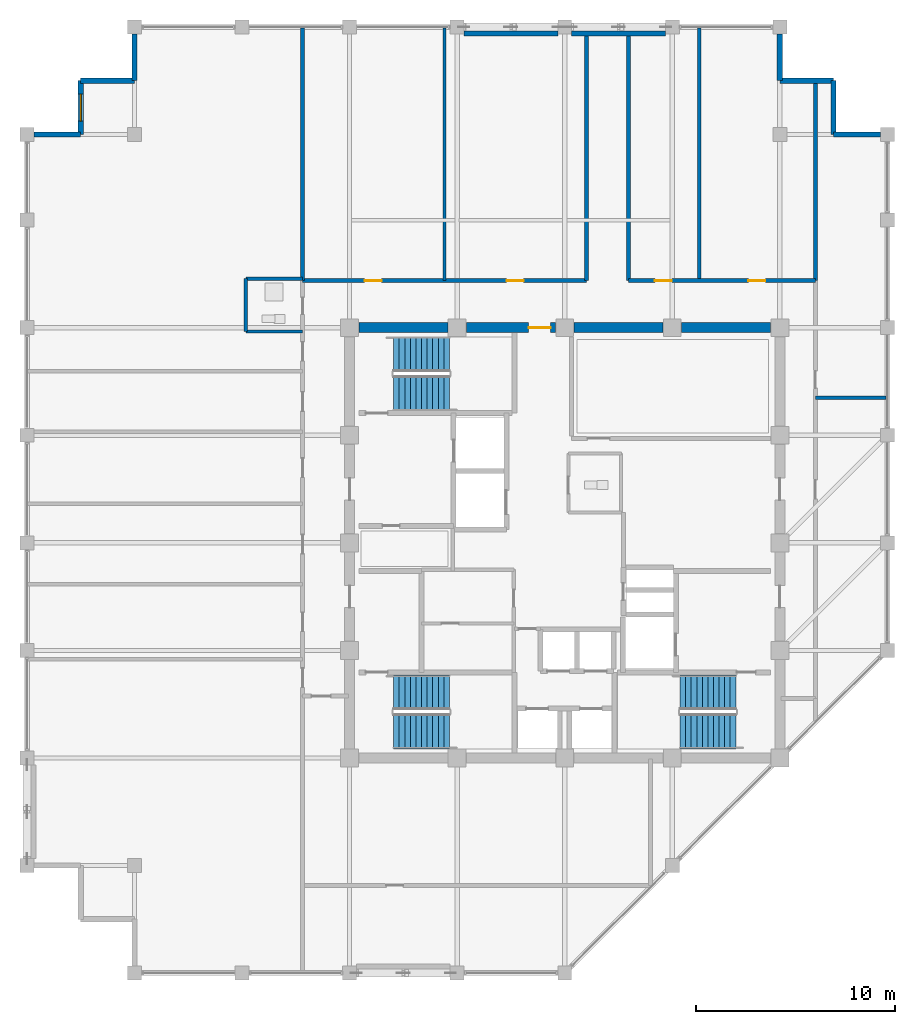
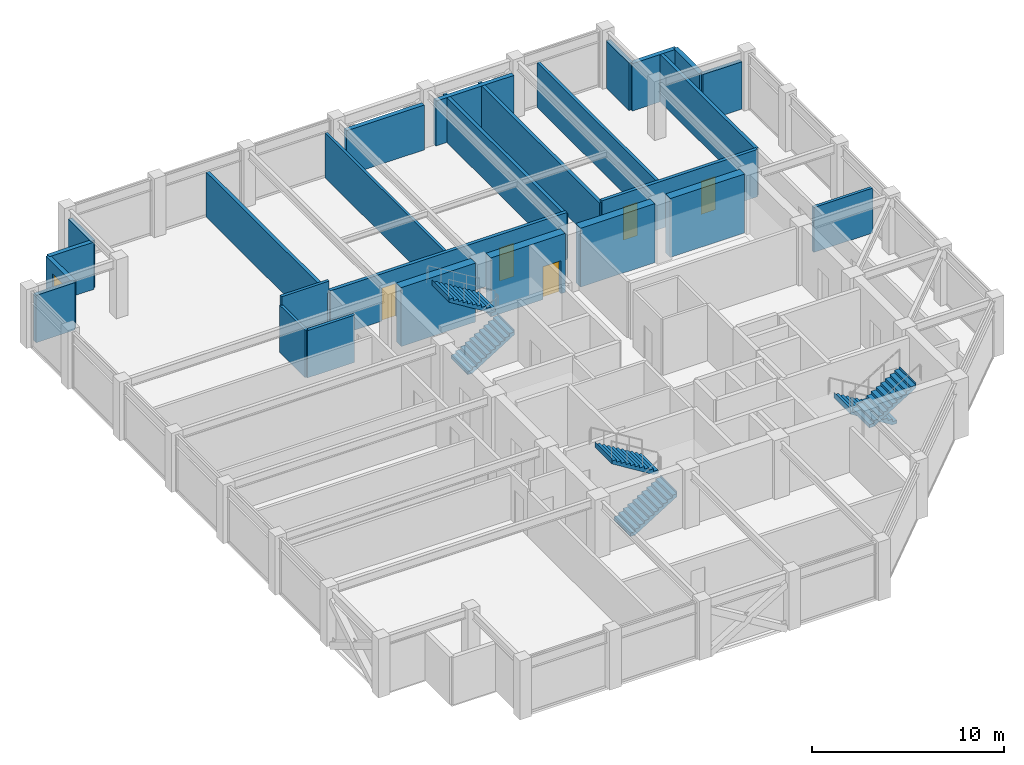
# One storey, part 28 of 30: 26 walls, 6 stair flights, 5 doors, 1 window, 6 openings, 3 elements without a shape of their own.
"""IFC4 building model written with IfcOpenShell, lengths in metres."""

from ifc_helpers import new_model, si_unit, direction, frame, frame_2d, origin, place, context, subcontext, project, spatial, polyline, rectangle, outline, extrude, material, layer, layer_set, type_object, element, fill, aggregate, save


model = new_model("IFC4")

# Units and contexts
model_context = context("Model", 3, precision=1e-05, world=origin(), true_north=direction((0.0, 1.0)))
body_context = subcontext(model_context, "Body", "Model", "MODEL_VIEW")
ifc_project = project(units=[si_unit("LENGTHUNIT", "METRE"), si_unit("AREAUNIT", "SQUARE_METRE"), si_unit("VOLUMEUNIT", "CUBIC_METRE"), si_unit("PLANEANGLEUNIT", "RADIAN"), si_unit("MASSUNIT", "GRAM", prefix="KILO")], contexts=[model_context])

# Site, building, storey
site_placement = place(None, origin())
site = spatial("IfcSite", under=ifc_project, at=site_placement, CompositionType="ELEMENT")
building_placement = place(site_placement, origin())
building = spatial("IfcBuilding", under=site, at=building_placement, Name="Surkhivell Harbour Commons", CompositionType="ELEMENT")
storey_placement = place(building_placement, frame((0.0, 0.0, 296.25)))
storey = spatial("IfcBuildingStorey", under=building, at=storey_placement, Name="L77", CompositionType="ELEMENT", Elevation=296.25)

# Wall
ifc_material_1 = material(Name="Concrete C50/60", Category="concrete")
ifc_layer_1 = layer(ifc_material_1, 0.5)
ifc_layer_set_1 = layer_set([ifc_layer_1], Name="Concrete C50/60")
wall_type_1 = type_object("IfcWallType", Name="WAL-CORE-500", PredefinedType="SHEAR", material=ifc_layer_set_1)
wall_1_placement = place(storey_placement, frame((-10.340087890625, 10.800048828125, 0.0), z_axis=(0.0, 0.0, 1.0), x_axis=(1.0, 0.0, 0.0)))
element("IfcWall", 1, at=wall_1_placement, inside=storey, type_object=wall_type_1, Name="L77 Core Shear Wall North 1", PredefinedType="SHEAR", context=body_context, shape_type="SweptSolid", body=[
    extrude(rectangle(XDim=4.47998046875, YDim=0.5, at=frame_2d((2.239990234375, 0.0))), origin(), (0.0, 0.0, 1.0), 3.75),
])

# Wall, opening, door
wall_2_placement = place(storey_placement, frame((-4.93994140625, 10.800048828125, 0.0), z_axis=(0.0, 0.0, 1.0), x_axis=(1.0, 0.0, 0.0)))
wall_2 = element("IfcWall", 2, at=wall_2_placement, inside=storey, type_object=wall_type_1, Name="L77 Core Shear Wall North 2", PredefinedType="SHEAR", context=body_context, shape_type="SweptSolid", body=[
    extrude(rectangle(XDim=4.47998046875, YDim=0.5, at=frame_2d((2.239990234375, 0.0))), origin(), (0.0, 0.0, 1.0), 3.75),
])
opening_1_placement = place(wall_2_placement, frame((3.1298828125, 0.0, 0.0)))
opening_1 = element("IfcOpeningElement", 3, at=opening_1_placement, cuts=wall_2, Name="Opening ID-2", PredefinedType="OPENING", context=body_context, shape_type="SweptSolid", body=[
    extrude(rectangle(XDim=1.10009765625, YDim=2.10009765625, at=frame_2d((0.550048828125, 1.050048828125))), frame((0.0, 0.260009765625, 0.0), z_axis=(0.0, -1.0, 0.0), x_axis=(1.0, 0.0, 0.0)), (0.0, 0.0, 1.0), 0.52001953125),
])
ifc_material_2 = material(Name="Hardwood-veneered fire-rated door leaf", Category="wood")
door_type_1 = type_object("IfcDoorType", Name="DOR-FD60-1100", OperationType="NOTDEFINED", PredefinedType="DOOR", material=ifc_material_2)
door_1_placement = place(opening_1_placement, origin())
door_1 = element("IfcDoor", 4, at=door_1_placement, inside=storey, type_object=door_type_1, Name="L77 Central Core Lift Hall North Corridor Door", OperationType="SINGLE_SWING_LEFT", OverallHeight=2.10009765625, OverallWidth=1.10009765625, PredefinedType="DOOR", context=body_context, shape_type="SweptSolid", body=[
    extrude(rectangle(XDim=1.10009765625, YDim=2.10009765625, at=frame_2d((0.550048828125, 1.050048828125))), frame((0.0, 0.02490234375, 0.0), z_axis=(0.0, -1.0, 0.0), x_axis=(1.0, 0.0, 0.0)), (0.0, 0.0, 1.0), 0.050048828125),
])
fill(opening_1, door_1)

# Walls
for number, where, z_axis, x_axis, name in (
    (5, (0.4599609375, 10.800048828125, 0.0), (0.0, 0.0, 1.0), (1.0, 0.0, 0.0), "L77 Core Shear Wall North 3"),
    (6, (5.860107421875, 10.800048828125, 0.0), (0.0, 0.0, 1.0), (1.0, 0.0, 0.0), "L77 Core Shear Wall North 4"),
):
    element("IfcWall", number, at=place(storey_placement, frame(where, z_axis=z_axis, x_axis=x_axis)), inside=storey, type_object=wall_type_1, Name=name, PredefinedType="SHEAR", context=body_context, shape_type="SweptSolid", body=[
        extrude(rectangle(XDim=4.47998046875, YDim=0.5, at=frame_2d((2.239990234375, 0.0))), origin(), (0.0, 0.0, 1.0), 3.75),
    ])
ifc_material_3 = material(Name="Pale-metal insulated precast concrete C45/55", Category="concrete")
ifc_layer_2 = layer(ifc_material_3, 0.260009765625)
ifc_layer_set_2 = layer_set([ifc_layer_2], Name="Pale-metal insulated precast concrete C45/55")
wall_type_2 = type_object("IfcWallType", Name="WAL-EXT-MTL260", PredefinedType="STANDARD", material=ifc_layer_set_2)
wall_3_placement = place(storey_placement, frame((15.85205078125, 20.5, 0.0), z_axis=(0.0, 0.0, 1.0), x_axis=(-1.0, 0.0, 0.0)))
element("IfcWall", 7, at=wall_3_placement, inside=storey, type_object=wall_type_2, Name="L77 Serrated Corner Facade Wall 03", PredefinedType="STANDARD", context=body_context, shape_type="SweptSolid", body=[
    extrude(rectangle(XDim=2.35205078125, YDim=0.260009765625, at=frame_2d((1.176025390625, 0.0))), origin(), (0.0, 0.0, 1.0), 3.012939453125),
])
for number, where, z_axis, x_axis, name in (
    (8, (13.5, 20.5, 0.0), (0.0, 0.0, 1.0), (0.0, 1.0, 0.0), "L77 Serrated Corner Facade Wall 04"),
    (9, (13.5, 23.199951171875, 0.0), (0.0, 0.0, 1.0), (-1.0, 0.0, 0.0), "L77 Serrated Corner Facade Wall 05"),
):
    element("IfcWall", number, at=place(storey_placement, frame(where, z_axis=z_axis, x_axis=x_axis)), inside=storey, type_object=wall_type_2, Name=name, PredefinedType="STANDARD", context=body_context, shape_type="SweptSolid", body=[
        extrude(rectangle(XDim=2.699951171875, YDim=0.260009765625, at=frame_2d((1.35009765625, 0.0))), origin(), (0.0, 0.0, 1.0), 3.012939453125),
    ])
wall_4_placement = place(storey_placement, frame((10.800048828125, 23.199951171875, 0.0), z_axis=(0.0, 0.0, 1.0), x_axis=(0.0, 1.0, 0.0)))
element("IfcWall", 10, at=wall_4_placement, inside=storey, type_object=wall_type_2, Name="L77 Serrated Corner Facade Wall 06", PredefinedType="STANDARD", context=body_context, shape_type="SweptSolid", body=[
    extrude(rectangle(XDim=2.35205078125, YDim=0.260009765625, at=frame_2d((1.176025390625, 0.0))), origin(), (0.0, 0.0, 1.0), 3.012939453125),
])
for number, where, z_axis, x_axis, name in (
    (11, (-0.347900390625, 25.56494140625, 0.0), (0.0, 0.0, 1.0), (-1.0, 0.0, 0.0), "L77 Braced-Bay Insulated Spandrel Backing N"),
    (12, (5.052001953125, 25.56494140625, 0.0), (0.0, 0.0, 1.0), (-1.0, 0.0, 0.0), "L77 Braced-Bay Insulated Spandrel Backing N2"),
):
    element("IfcWall", number, at=place(storey_placement, frame(where, z_axis=z_axis, x_axis=x_axis)), inside=storey, type_object=wall_type_2, Name=name, PredefinedType="STANDARD", context=body_context, shape_type="SweptSolid", body=[
        extrude(rectangle(XDim=4.7041015625, YDim=0.260009765625, at=frame_2d((2.35205078125, 0.0))), origin(), (0.0, 0.0, 1.0), 2.85693359375),
    ])
wall_5_placement = place(storey_placement, frame((-21.60009765625, 25.552001953125, 0.0), z_axis=(0.0, 0.0, 1.0), x_axis=(0.0, -1.0, 0.0)))
element("IfcWall", 13, at=wall_5_placement, inside=storey, type_object=wall_type_2, Name="L77 Serrated Corner Facade Wall 08", PredefinedType="STANDARD", context=body_context, shape_type="SweptSolid", body=[
    extrude(rectangle(XDim=2.35205078125, YDim=0.260009765625, at=frame_2d((1.176025390625, 0.0))), origin(), (0.0, 0.0, 1.0), 3.012939453125),
])
wall_6_placement = place(storey_placement, frame((-21.60009765625, 23.199951171875, 0.0), z_axis=(0.0, 0.0, 1.0), x_axis=(-1.0, 0.0, 0.0)))
element("IfcWall", 14, at=wall_6_placement, inside=storey, type_object=wall_type_2, Name="L77 Serrated Corner Facade Wall 09", PredefinedType="STANDARD", context=body_context, shape_type="SweptSolid", body=[
    extrude(rectangle(XDim=2.699951171875, YDim=0.260009765625, at=frame_2d((1.35009765625, 0.0))), origin(), (0.0, 0.0, 1.0), 3.012939453125),
])

# Wall, opening, window
wall_7_placement = place(storey_placement, frame((-24.300048828125, 23.199951171875, 0.0), z_axis=(0.0, 0.0, 1.0), x_axis=(0.0, -1.0, 0.0)))
wall_7 = element("IfcWall", 15, at=wall_7_placement, inside=storey, type_object=wall_type_2, Name="L77 Serrated Corner Facade Wall 10", PredefinedType="STANDARD", context=body_context, shape_type="SweptSolid", body=[
    extrude(rectangle(XDim=2.699951171875, YDim=0.260009765625, at=frame_2d((1.35009765625, 0.0))), origin(), (0.0, 0.0, 1.0), 3.012939453125),
])
opening_2_placement = place(wall_7_placement, frame((0.675048828125, 0.0, 0.64990234375)))
opening_2 = element("IfcOpeningElement", 16, at=opening_2_placement, cuts=wall_7, Name="Opening WN-08", PredefinedType="OPENING", context=body_context, shape_type="SweptSolid", body=[
    extrude(rectangle(XDim=1.35009765625, YDim=1.64990234375, at=frame_2d((0.675048828125, 0.824951171875))), frame((0.0, 0.139892578125, 0.0), z_axis=(0.0, -1.0, 0.0), x_axis=(1.0, 0.0, 0.0)), (0.0, 0.0, 1.0), 0.280029296875),
])
ifc_material_4 = material(Name="Thermal-break aluminium frame and double low-E glazing", Category="aluminium")
window_type = type_object("IfcWindowType", Name="WIN-SER-1350x1650", PartitioningType="SINGLE_PANEL", PredefinedType="WINDOW", material=ifc_material_4)
window_placement = place(opening_2_placement, origin())
window = element("IfcWindow", 17, at=window_placement, inside=storey, type_object=window_type, Name="L77 Serrated Alcove Window 10", OverallHeight=1.64990234375, OverallWidth=1.35009765625, PartitioningType="SINGLE_PANEL", PredefinedType="WINDOW", context=body_context, shape_type="SweptSolid", body=[
    extrude(rectangle(XDim=1.35009765625, YDim=1.64990234375, at=frame_2d((0.675048828125, 0.824951171875))), frame((0.0, 0.030029296875, 0.0), z_axis=(0.0, -1.0, 0.0), x_axis=(1.0, 0.0, 0.0)), (0.0, 0.0, 1.0), 0.06005859375),
])
fill(opening_2, window)

# Walls
wall_8_placement = place(storey_placement, frame((-24.300048828125, 20.5, 0.0), z_axis=(0.0, 0.0, 1.0), x_axis=(-1.0, 0.0, 0.0)))
element("IfcWall", 18, at=wall_8_placement, inside=storey, type_object=wall_type_2, Name="L77 Serrated Corner Facade Wall 11", PredefinedType="STANDARD", context=body_context, shape_type="SweptSolid", body=[
    extrude(rectangle(XDim=2.35205078125, YDim=0.260009765625, at=frame_2d((1.176025390625, 0.0))), origin(), (0.0, 0.0, 1.0), 3.012939453125),
])
ifc_material_5 = material(Name="Twin-stud acoustic fireboard partition", Category="other")
ifc_layer_3 = layer(ifc_material_5, 0.14990234375)
ifc_layer_set_3 = layer_set([ifc_layer_3], Name="Twin-stud acoustic fireboard partition")
wall_type_3 = type_object("IfcWallType", Name="WAL-INT-150", PredefinedType="PARTITIONING", material=ifc_layer_set_3)
wall_9_placement = place(storey_placement, frame((-6.030029296875, 13.159912109375, 0.0), z_axis=(0.0, 0.0, 1.0), x_axis=(0.0, 1.0, 0.0)))
element("IfcWall", 19, at=wall_9_placement, inside=storey, type_object=wall_type_3, Name="L77 North-West Partition P1", PredefinedType="PARTITIONING", context=body_context, shape_type="SweptSolid", body=[
    extrude(rectangle(XDim=12.68017578125, YDim=0.14990234375, at=frame_2d((6.340087890625, 0.0))), origin(), (0.0, 0.0, 1.0), 2.85693359375),
])
ifc_material_6 = material(Name="High-density acoustic blockwork fire partition", Category="masonry")
ifc_layer_4 = layer(ifc_material_6, 0.175048828125)
ifc_layer_set_4 = layer_set([ifc_layer_4], Name="High-density acoustic blockwork fire partition")
wall_type_4 = type_object("IfcWallType", Name="WAL-INT-175", PredefinedType="PARTITIONING", material=ifc_layer_set_4)
wall_10_placement = place(storey_placement, frame((12.580078125, 7.2900390625, 0.0), z_axis=(0.0, 0.0, 1.0), x_axis=(1.0, 0.0, 0.0)))
element("IfcWall", 20, at=wall_10_placement, inside=storey, type_object=wall_type_4, Name="L77 East Partition P1", PredefinedType="PARTITIONING", context=body_context, shape_type="SweptSolid", body=[
    extrude(rectangle(XDim=3.559814453125, YDim=0.175048828125, at=frame_2d((1.77978515625, 0.0))), origin(), (0.0, 0.0, 1.0), 2.85693359375),
])
wall_11_placement = place(storey_placement, frame((6.760009765625, 13.159912109375, 0.0), z_axis=(0.0, 0.0, 1.0), x_axis=(0.0, 1.0, 0.0)))
element("IfcWall", 21, at=wall_11_placement, inside=storey, type_object=wall_type_4, Name="L77 North-East Partition P1", PredefinedType="PARTITIONING", context=body_context, shape_type="SweptSolid", body=[
    extrude(rectangle(XDim=12.68017578125, YDim=0.175048828125, at=frame_2d((6.340087890625, 0.0))), origin(), (0.0, 0.0, 1.0), 2.85693359375),
])
wall_12_placement = place(storey_placement, frame((-16.010009765625, 10.610107421875, 0.0), z_axis=(0.0, 0.0, 1.0), x_axis=(0.0, 1.0, 0.0)))
element("IfcWall", 22, at=wall_12_placement, inside=storey, type_object=wall_type_4, Name="L77 West Partition BTHB", PredefinedType="PARTITIONING", context=body_context, shape_type="SweptSolid", body=[
    extrude(rectangle(XDim=2.64990234375, YDim=0.175048828125, at=frame_2d((1.324951171875, 0.0))), origin(), (0.0, 0.0, 1.0), 3.012939453125),
])
wall_13_placement = place(storey_placement, frame((-16.010009765625, 13.260009765625, 0.0), z_axis=(0.0, 0.0, 1.0), x_axis=(1.0, 0.0, 0.0)))
element("IfcWall", 23, at=wall_13_placement, inside=storey, type_object=wall_type_4, Name="L77 West Partition BTHN", PredefinedType="PARTITIONING", context=body_context, shape_type="SweptSolid", body=[
    extrude(rectangle(XDim=2.85009765625, YDim=0.175048828125, at=frame_2d((1.425048828125, 0.0))), origin(), (0.0, 0.0, 1.0), 3.570068359375),
])
wall_14_placement = place(storey_placement, frame((-16.010009765625, 10.610107421875, 0.0), z_axis=(0.0, 0.0, 1.0), x_axis=(1.0, 0.0, 0.0)))
element("IfcWall", 24, at=wall_14_placement, inside=storey, type_object=wall_type_4, Name="L77 West Partition BTHS", PredefinedType="PARTITIONING", context=body_context, shape_type="SweptSolid", body=[
    extrude(rectangle(XDim=2.85009765625, YDim=0.175048828125, at=frame_2d((1.425048828125, 0.0))), origin(), (0.0, 0.0, 1.0), 3.012939453125),
])
ifc_material_7 = material(Name="Autoclaved aerated concrete blockwork and fire plaster", Category="masonry")
ifc_layer_5 = layer(ifc_material_7, 0.199951171875)
ifc_layer_set_5 = layer_set([ifc_layer_5], Name="Autoclaved aerated concrete blockwork and fire plaster")
wall_type_5 = type_object("IfcWallType", Name="WAL-INT-200", PredefinedType="PARTITIONING", material=ifc_layer_set_5)
wall_15_placement = place(storey_placement, frame((12.580078125, 13.159912109375, 0.0), z_axis=(0.0, 0.0, 1.0), x_axis=(0.0, 1.0, 0.0)))
element("IfcWall", 25, at=wall_15_placement, inside=storey, type_object=wall_type_5, Name="L77 North-East Corner Wall", PredefinedType="PARTITIONING", context=body_context, shape_type="SweptSolid", body=[
    extrude(rectangle(XDim=9.97998046875, YDim=0.199951171875, at=frame_2d((4.989990234375, 0.0))), origin(), (0.0, 0.0, 1.0), 3.012939453125),
])
wall_16_placement = place(storey_placement, frame((-13.159912109375, 13.159912109375, 0.0), z_axis=(0.0, 0.0, 1.0), x_axis=(0.0, 1.0, 0.0)))
element("IfcWall", 26, at=wall_16_placement, inside=storey, type_object=wall_type_5, Name="L77 North-West Corner Wall", PredefinedType="PARTITIONING", context=body_context, shape_type="SweptSolid", body=[
    extrude(rectangle(XDim=12.68017578125, YDim=0.199951171875, at=frame_2d((6.340087890625, 0.0))), origin(), (0.0, 0.0, 1.0), 2.85693359375),
])

# Wall, openings, doors
wall_17_placement = place(storey_placement, frame((-13.159912109375, 13.159912109375, 0.0), z_axis=(0.0, 0.0, 1.0), x_axis=(1.0, 0.0, 0.0)))
wall_17 = element("IfcWall", 27, at=wall_17_placement, inside=storey, type_object=wall_type_5, Name="L77 North-West Corridor Wall", PredefinedType="PARTITIONING", context=body_context, shape_type="SweptSolid", body=[
    extrude(rectangle(XDim=14.260009765625, YDim=0.199951171875, at=frame_2d((7.1298828125, 0.0))), origin(), (0.0, 0.0, 1.0), 3.012939453125),
])
opening_3_placement = place(wall_17_placement, frame((3.114990234375, 0.0, 0.0)))
opening_3 = element("IfcOpeningElement", 28, at=opening_3_placement, cuts=wall_17, Name="Opening ID-6", PredefinedType="OPENING", context=body_context, shape_type="SweptSolid", body=[
    extrude(rectangle(XDim=0.85009765625, YDim=2.10009765625, at=frame_2d((0.425048828125, 1.050048828125))), frame((0.0, 0.10986328125, 0.0), z_axis=(0.0, -1.0, 0.0), x_axis=(1.0, 0.0, 0.0)), (0.0, 0.0, 1.0), 0.219970703125),
])
opening_4_placement = place(wall_17_placement, frame((10.2451171875, 0.0, 0.0)))
opening_4 = element("IfcOpeningElement", 29, at=opening_4_placement, cuts=wall_17, Name="Opening ID-6", PredefinedType="OPENING", context=body_context, shape_type="SweptSolid", body=[
    extrude(rectangle(XDim=0.85009765625, YDim=2.10009765625, at=frame_2d((0.425048828125, 1.050048828125))), frame((0.0, 0.10986328125, 0.0), z_axis=(0.0, -1.0, 0.0), x_axis=(1.0, 0.0, 0.0)), (0.0, 0.0, 1.0), 0.219970703125),
])
door_type_2 = type_object("IfcDoorType", Name="DOR-FD30-850", OperationType="NOTDEFINED", PredefinedType="DOOR", material=ifc_material_2)
door_2_placement = place(opening_3_placement, origin())
door_2 = element("IfcDoor", 30, at=door_2_placement, inside=storey, type_object=door_type_2, Name="L77 Campus Co-Op Bookshop North-West Door", OperationType="SINGLE_SWING_LEFT", OverallHeight=2.10009765625, OverallWidth=0.85009765625, PredefinedType="DOOR", context=body_context, shape_type="SweptSolid", body=[
    extrude(rectangle(XDim=0.85009765625, YDim=2.10009765625, at=frame_2d((0.425048828125, 1.050048828125))), frame((0.0, 0.02490234375, 0.0), z_axis=(0.0, -1.0, 0.0), x_axis=(1.0, 0.0, 0.0)), (0.0, 0.0, 1.0), 0.050048828125),
])
fill(opening_3, door_2)
door_3_placement = place(opening_4_placement, origin())
door_3 = element("IfcDoor", 31, at=door_3_placement, inside=storey, type_object=door_type_2, Name="L77 Harbour Espresso Cafe Shop North-West Door", OperationType="SINGLE_SWING_RIGHT", OverallHeight=2.10009765625, OverallWidth=0.85009765625, PredefinedType="DOOR", context=body_context, shape_type="SweptSolid", body=[
    extrude(rectangle(XDim=0.85009765625, YDim=2.10009765625, at=frame_2d((0.425048828125, 1.050048828125))), frame((0.0, 0.02490234375, 0.0), z_axis=(0.0, -1.0, 0.0), x_axis=(1.0, 0.0, 0.0)), (0.0, 0.0, 1.0), 0.050048828125),
])
fill(opening_4, door_3)

wall_18_placement = place(storey_placement, frame((3.199951171875, 13.159912109375, 0.0), z_axis=(0.0, 0.0, 1.0), x_axis=(1.0, 0.0, 0.0)))
wall_18 = element("IfcWall", 32, at=wall_18_placement, inside=storey, type_object=wall_type_5, Name="L77 North-East Corridor Wall", PredefinedType="PARTITIONING", context=body_context, shape_type="SweptSolid", body=[
    extrude(rectangle(XDim=9.380126953125, YDim=0.199951171875, at=frame_2d((4.68994140625, 0.0))), origin(), (0.0, 0.0, 1.0), 3.012939453125),
])
opening_5_placement = place(wall_18_placement, frame((1.330078125, 0.0, 0.0)))
opening_5 = element("IfcOpeningElement", 33, at=opening_5_placement, cuts=wall_18, Name="Opening ID-6", PredefinedType="OPENING", context=body_context, shape_type="SweptSolid", body=[
    extrude(rectangle(XDim=0.85009765625, YDim=2.10009765625, at=frame_2d((0.425048828125, 1.050048828125))), frame((0.0, 0.10986328125, 0.0), z_axis=(0.0, -1.0, 0.0), x_axis=(1.0, 0.0, 0.0)), (0.0, 0.0, 1.0), 0.219970703125),
])
opening_6_placement = place(wall_18_placement, frame((6.02001953125, 0.0, 0.0)))
opening_6 = element("IfcOpeningElement", 34, at=opening_6_placement, cuts=wall_18, Name="Opening ID-6", PredefinedType="OPENING", context=body_context, shape_type="SweptSolid", body=[
    extrude(rectangle(XDim=0.85009765625, YDim=2.10009765625, at=frame_2d((0.425048828125, 1.050048828125))), frame((0.0, 0.10986328125, 0.0), z_axis=(0.0, -1.0, 0.0), x_axis=(1.0, 0.0, 0.0)), (0.0, 0.0, 1.0), 0.219970703125),
])
door_4_placement = place(opening_5_placement, origin())
door_4 = element("IfcDoor", 35, at=door_4_placement, inside=storey, type_object=door_type_2, Name="L77 Harbour Reading Library North-East Door", OperationType="SINGLE_SWING_LEFT", OverallHeight=2.10009765625, OverallWidth=0.85009765625, PredefinedType="DOOR", context=body_context, shape_type="SweptSolid", body=[
    extrude(rectangle(XDim=0.85009765625, YDim=2.10009765625, at=frame_2d((0.425048828125, 1.050048828125))), frame((0.0, 0.02490234375, 0.0), z_axis=(0.0, -1.0, 0.0), x_axis=(1.0, 0.0, 0.0)), (0.0, 0.0, 1.0), 0.050048828125),
])
fill(opening_5, door_4)
door_5_placement = place(opening_6_placement, origin())
door_5 = element("IfcDoor", 36, at=door_5_placement, inside=storey, type_object=door_type_2, Name="L77 Communal Dining Hall North-East Door", OperationType="SINGLE_SWING_RIGHT", OverallHeight=2.10009765625, OverallWidth=0.85009765625, PredefinedType="DOOR", context=body_context, shape_type="SweptSolid", body=[
    extrude(rectangle(XDim=0.85009765625, YDim=2.10009765625, at=frame_2d((0.425048828125, 1.050048828125))), frame((0.0, 0.02490234375, 0.0), z_axis=(0.0, -1.0, 0.0), x_axis=(1.0, 0.0, 0.0)), (0.0, 0.0, 1.0), 0.050048828125),
])
fill(opening_6, door_5)

# Walls
for number, where, z_axis, x_axis, name in (
    (37, (3.199951171875, 13.159912109375, 0.0), (0.0, 0.0, 1.0), (0.0, 1.0, 0.0), "L77 North Spur East Wall"),
    (38, (1.10009765625, 13.159912109375, 0.0), (0.0, 0.0, 1.0), (0.0, 1.0, 0.0), "L77 North Spur West Wall"),
):
    element("IfcWall", number, at=place(storey_placement, frame(where, z_axis=z_axis, x_axis=x_axis)), inside=storey, type_object=wall_type_5, Name=name, PredefinedType="PARTITIONING", context=body_context, shape_type="SweptSolid", body=[
        extrude(rectangle(XDim=12.68017578125, YDim=0.199951171875, at=frame_2d((6.340087890625, 0.0))), origin(), (0.0, 0.0, 1.0), 2.85693359375),
    ])

# Stair, stair flights
ifc_material_8 = material(Name="Precast concrete C45/55", Category="concrete")
stair_type = type_object("IfcStairType", Name="STR-DL-375", PredefinedType="HALF_TURN_STAIR", material=ifc_material_8)
stair_1_placement = place(storey_placement, origin())
stair_1 = element("IfcStair", 39, at=stair_1_placement, inside=storey, type_object=stair_type, Name="L77 Core Exit Stair ST1", PredefinedType="HALF_TURN_STAIR")
stair_flight_type = type_object("IfcStairFlightType", Name="STF-DL-375", PredefinedType="STRAIGHT", material=ifc_material_8)
stair_flight_1_placement = place(storey_placement, frame((-8.590087890625, 7.514892578125, 0.0), z_axis=(0.0, 0.0, 1.0), x_axis=(1.0, 0.0, 0.0)))
stair_flight_1 = element("IfcStairFlight", 40, at=stair_flight_1_placement, type_object=stair_flight_type, Name="ST1 flight 1", NumberOfRisers=11, NumberOfTreads=10, PredefinedType="STRAIGHT", RiserHeight=0.170454545, TreadLength=0.28, context=body_context, shape_type="SweptSolid", body=[
    extrude(outline(polyline([(-0.0029296875, -0.034912109375), (-0.0029296875, 0.0), (0.0, 0.0), (0.0, 0.17041015625), (0.280029296875, 0.17041015625), (0.280029296875, 0.3408203125), (0.56005859375, 0.3408203125), (0.56005859375, 0.511474609375), (0.840087890625, 0.511474609375), (0.840087890625, 0.681884765625), (1.1201171875, 0.681884765625), (1.1201171875, 0.852294921875), (1.39990234375, 0.852294921875), (1.39990234375, 1.022705078125), (1.679931640625, 1.022705078125), (1.679931640625, 1.193115234375), (1.9599609375, 1.193115234375), (1.9599609375, 1.363525390625), (2.239990234375, 1.363525390625), (2.239990234375, 1.5341796875), (2.52001953125, 1.5341796875), (2.52001953125, 1.70458984375), (2.800048828125, 1.70458984375), (2.800048828125, 1.875), (2.802978515625, 1.875), (2.802978515625, 1.529052734375), (0.288330078125, -0.034912109375), (-0.0029296875, -0.034912109375)])), frame((0.0, 0.875, 0.0), z_axis=(0.0, -1.0, 0.0), x_axis=(1.0, 0.0, 0.0)), (0.0, 0.0, 1.0), 1.75),
])
stair_flight_2_placement = place(storey_placement, frame((-5.7900390625, 9.465087890625, 1.875), z_axis=(0.0, 0.0, 1.0), x_axis=(-1.0, 0.0, 0.0)))
stair_flight_2 = element("IfcStairFlight", 41, at=stair_flight_2_placement, type_object=stair_flight_type, Name="ST1 flight 2", NumberOfRisers=11, NumberOfTreads=10, PredefinedType="STRAIGHT", RiserHeight=0.170454545, TreadLength=0.28, context=body_context, shape_type="SweptSolid", body=[
    extrude(outline(polyline([(-0.0029296875, -0.034912109375), (-0.0029296875, 0.0), (0.0, 0.0), (0.0, 0.17041015625), (0.280029296875, 0.17041015625), (0.280029296875, 0.3408203125), (0.56005859375, 0.3408203125), (0.56005859375, 0.511474609375), (0.840087890625, 0.511474609375), (0.840087890625, 0.681884765625), (1.1201171875, 0.681884765625), (1.1201171875, 0.852294921875), (1.39990234375, 0.852294921875), (1.39990234375, 1.022705078125), (1.679931640625, 1.022705078125), (1.679931640625, 1.193115234375), (1.9599609375, 1.193115234375), (1.9599609375, 1.363525390625), (2.239990234375, 1.363525390625), (2.239990234375, 1.5341796875), (2.52001953125, 1.5341796875), (2.52001953125, 1.70458984375), (2.800048828125, 1.70458984375), (2.800048828125, 1.875), (2.802978515625, 1.875), (2.802978515625, 1.529052734375), (0.288330078125, -0.034912109375), (-0.0029296875, -0.034912109375)])), frame((0.0, 0.875, 0.0), z_axis=(0.0, -1.0, 0.0), x_axis=(1.0, 0.0, 0.0)), (0.0, 0.0, 1.0), 1.75),
])
aggregate(stair_1, [stair_flight_1, stair_flight_2])

stair_2_placement = place(storey_placement, origin())
stair_2 = element("IfcStair", 42, at=stair_2_placement, inside=storey, type_object=stair_type, Name="L77 Core Exit Stair ST2", PredefinedType="HALF_TURN_STAIR")
stair_flight_3_placement = place(storey_placement, frame((8.590087890625, -7.514892578125, 0.0), z_axis=(0.0, 0.0, 1.0), x_axis=(-1.0, 0.0, 0.0)))
stair_flight_3 = element("IfcStairFlight", 43, at=stair_flight_3_placement, type_object=stair_flight_type, Name="ST2 flight 1", NumberOfRisers=11, NumberOfTreads=10, PredefinedType="STRAIGHT", RiserHeight=0.170454545, TreadLength=0.28, context=body_context, shape_type="SweptSolid", body=[
    extrude(outline(polyline([(-0.0029296875, -0.034912109375), (-0.0029296875, 0.0), (0.0, 0.0), (0.0, 0.17041015625), (0.280029296875, 0.17041015625), (0.280029296875, 0.3408203125), (0.56005859375, 0.3408203125), (0.56005859375, 0.511474609375), (0.840087890625, 0.511474609375), (0.840087890625, 0.681884765625), (1.1201171875, 0.681884765625), (1.1201171875, 0.852294921875), (1.39990234375, 0.852294921875), (1.39990234375, 1.022705078125), (1.679931640625, 1.022705078125), (1.679931640625, 1.193115234375), (1.9599609375, 1.193115234375), (1.9599609375, 1.363525390625), (2.239990234375, 1.363525390625), (2.239990234375, 1.5341796875), (2.52001953125, 1.5341796875), (2.52001953125, 1.70458984375), (2.800048828125, 1.70458984375), (2.800048828125, 1.875), (2.802978515625, 1.875), (2.802978515625, 1.529052734375), (0.288330078125, -0.034912109375), (-0.0029296875, -0.034912109375)])), frame((0.0, 0.875, 0.0), z_axis=(0.0, -1.0, 0.0), x_axis=(1.0, 0.0, 0.0)), (0.0, 0.0, 1.0), 1.75),
])
stair_flight_4_placement = place(storey_placement, frame((5.7900390625, -9.465087890625, 1.875), z_axis=(0.0, 0.0, 1.0), x_axis=(1.0, 0.0, 0.0)))
stair_flight_4 = element("IfcStairFlight", 44, at=stair_flight_4_placement, type_object=stair_flight_type, Name="ST2 flight 2", NumberOfRisers=11, NumberOfTreads=10, PredefinedType="STRAIGHT", RiserHeight=0.170454545, TreadLength=0.28, context=body_context, shape_type="SweptSolid", body=[
    extrude(outline(polyline([(-0.0029296875, -0.034912109375), (-0.0029296875, 0.0), (0.0, 0.0), (0.0, 0.17041015625), (0.280029296875, 0.17041015625), (0.280029296875, 0.3408203125), (0.56005859375, 0.3408203125), (0.56005859375, 0.511474609375), (0.840087890625, 0.511474609375), (0.840087890625, 0.681884765625), (1.1201171875, 0.681884765625), (1.1201171875, 0.852294921875), (1.39990234375, 0.852294921875), (1.39990234375, 1.022705078125), (1.679931640625, 1.022705078125), (1.679931640625, 1.193115234375), (1.9599609375, 1.193115234375), (1.9599609375, 1.363525390625), (2.239990234375, 1.363525390625), (2.239990234375, 1.5341796875), (2.52001953125, 1.5341796875), (2.52001953125, 1.70458984375), (2.800048828125, 1.70458984375), (2.800048828125, 1.875), (2.802978515625, 1.875), (2.802978515625, 1.529052734375), (0.288330078125, -0.034912109375), (-0.0029296875, -0.034912109375)])), frame((0.0, 0.875, 0.0), z_axis=(0.0, -1.0, 0.0), x_axis=(1.0, 0.0, 0.0)), (0.0, 0.0, 1.0), 1.75),
])
aggregate(stair_2, [stair_flight_3, stair_flight_4])

stair_3_placement = place(storey_placement, origin())
stair_3 = element("IfcStair", 45, at=stair_3_placement, inside=storey, type_object=stair_type, Name="L77 Core Exit Stair ST3", PredefinedType="HALF_TURN_STAIR")
stair_flight_5_placement = place(storey_placement, frame((-8.590087890625, -9.465087890625, 0.0), z_axis=(0.0, 0.0, 1.0), x_axis=(1.0, 0.0, 0.0)))
stair_flight_5 = element("IfcStairFlight", 46, at=stair_flight_5_placement, type_object=stair_flight_type, Name="ST3 flight 1", NumberOfRisers=11, NumberOfTreads=10, PredefinedType="STRAIGHT", RiserHeight=0.170454545, TreadLength=0.28, context=body_context, shape_type="SweptSolid", body=[
    extrude(outline(polyline([(-0.0029296875, -0.034912109375), (-0.0029296875, 0.0), (0.0, 0.0), (0.0, 0.17041015625), (0.280029296875, 0.17041015625), (0.280029296875, 0.3408203125), (0.56005859375, 0.3408203125), (0.56005859375, 0.511474609375), (0.840087890625, 0.511474609375), (0.840087890625, 0.681884765625), (1.1201171875, 0.681884765625), (1.1201171875, 0.852294921875), (1.39990234375, 0.852294921875), (1.39990234375, 1.022705078125), (1.679931640625, 1.022705078125), (1.679931640625, 1.193115234375), (1.9599609375, 1.193115234375), (1.9599609375, 1.363525390625), (2.239990234375, 1.363525390625), (2.239990234375, 1.5341796875), (2.52001953125, 1.5341796875), (2.52001953125, 1.70458984375), (2.800048828125, 1.70458984375), (2.800048828125, 1.875), (2.802978515625, 1.875), (2.802978515625, 1.529052734375), (0.288330078125, -0.034912109375), (-0.0029296875, -0.034912109375)])), frame((0.0, 0.875, 0.0), z_axis=(0.0, -1.0, 0.0), x_axis=(1.0, 0.0, 0.0)), (0.0, 0.0, 1.0), 1.75),
])
stair_flight_6_placement = place(storey_placement, frame((-5.7900390625, -7.514892578125, 1.875), z_axis=(0.0, 0.0, 1.0), x_axis=(-1.0, 0.0, 0.0)))
stair_flight_6 = element("IfcStairFlight", 47, at=stair_flight_6_placement, type_object=stair_flight_type, Name="ST3 flight 2", NumberOfRisers=11, NumberOfTreads=10, PredefinedType="STRAIGHT", RiserHeight=0.170454545, TreadLength=0.28, context=body_context, shape_type="SweptSolid", body=[
    extrude(outline(polyline([(-0.0029296875, -0.034912109375), (-0.0029296875, 0.0), (0.0, 0.0), (0.0, 0.17041015625), (0.280029296875, 0.17041015625), (0.280029296875, 0.3408203125), (0.56005859375, 0.3408203125), (0.56005859375, 0.511474609375), (0.840087890625, 0.511474609375), (0.840087890625, 0.681884765625), (1.1201171875, 0.681884765625), (1.1201171875, 0.852294921875), (1.39990234375, 0.852294921875), (1.39990234375, 1.022705078125), (1.679931640625, 1.022705078125), (1.679931640625, 1.193115234375), (1.9599609375, 1.193115234375), (1.9599609375, 1.363525390625), (2.239990234375, 1.363525390625), (2.239990234375, 1.5341796875), (2.52001953125, 1.5341796875), (2.52001953125, 1.70458984375), (2.800048828125, 1.70458984375), (2.800048828125, 1.875), (2.802978515625, 1.875), (2.802978515625, 1.529052734375), (0.288330078125, -0.034912109375), (-0.0029296875, -0.034912109375)])), frame((0.0, 0.875, 0.0), z_axis=(0.0, -1.0, 0.0), x_axis=(1.0, 0.0, 0.0)), (0.0, 0.0, 1.0), 1.75),
])
aggregate(stair_3, [stair_flight_5, stair_flight_6])

save(model, "model.ifc")
